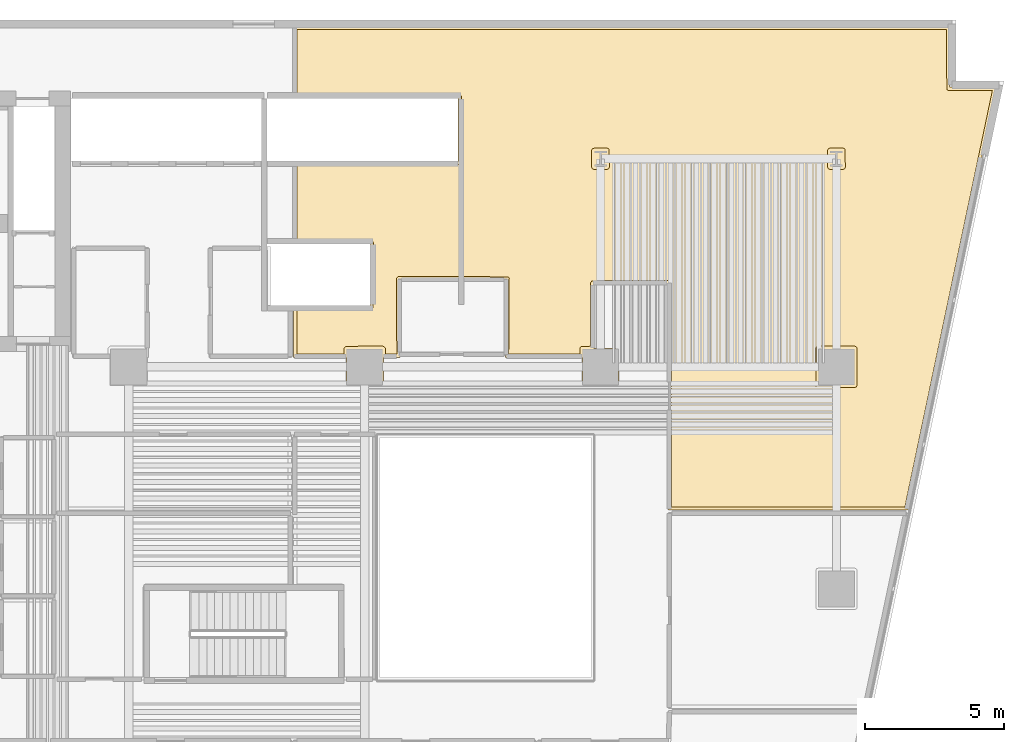
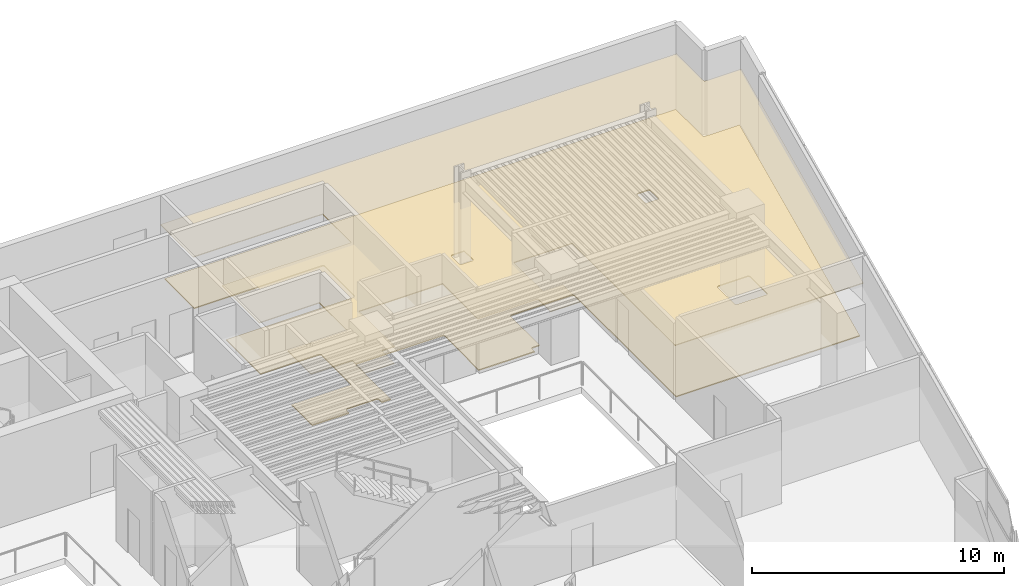
# One storey, part 11 of 11: 2 coverings.
"""IFC4 building model written with IfcOpenShell, lengths in metres."""

from ifc_helpers import new_model, si_unit, direction, frame, origin, place, context, subcontext, project, spatial, polyline, outline, extrude, material, layer, layer_set, type_object, element, save


model = new_model("IFC4")

# Units and contexts
model_context = context("Model", 3, precision=1e-05, world=origin(), true_north=direction((0.0, 1.0)))
body_context = subcontext(model_context, "Body", "Model", "MODEL_VIEW")
ifc_project = project(units=[si_unit("LENGTHUNIT", "METRE"), si_unit("AREAUNIT", "SQUARE_METRE"), si_unit("VOLUMEUNIT", "CUBIC_METRE"), si_unit("PLANEANGLEUNIT", "RADIAN"), si_unit("MASSUNIT", "GRAM", prefix="KILO")], contexts=[model_context])

# Site, building, storey
site_placement = place(None, origin())
site = spatial("IfcSite", under=ifc_project, at=site_placement, CompositionType="ELEMENT")
building_placement = place(site_placement, origin())
building = spatial("IfcBuilding", under=site, at=building_placement, Name="Caeloran Harvest Quay", CompositionType="ELEMENT")
storey_placement = place(building_placement, frame((0.0, 0.0, 62.199951171875)))
storey = spatial("IfcBuildingStorey", under=building, at=storey_placement, Name="L14", CompositionType="ELEMENT", Elevation=62.199951171875)

# Coverings
ifc_material_1 = material(Name="Perforated Mineral-Fibre Acoustic Ceiling Tile", Category="ceiling")
ifc_layer_1 = layer(ifc_material_1, 0.0400390625, Name="Perforated Mineral-Fibre Acoustic Ceiling Tile")
ifc_layer_set_1 = layer_set([ifc_layer_1], Name="Perforated Mineral-Fibre Acoustic Ceiling Tile")
covering_type_1 = type_object("IfcCoveringType", Name="COV-CEILING-ACOUSTIC", PredefinedType="CEILING", material=ifc_layer_set_1)
covering_1_placement = place(storey_placement, frame((0.0, 0.0, 2.60009765625)))
element("IfcCovering", 1, at=covering_1_placement, inside=storey, type_object=covering_type_1, Name="Harvest Seminar Room 12 Acoustic Ceiling", PredefinedType="CEILING", context=body_context, shape_type="SweptSolid", body=[
    extrude(outline(polyline([(33.330078125, 31.340087890625), (31.43994140625, 31.340087890625), (31.43994140625, 33.2099609375), (34.18994140625, 33.2099609375), (34.18994140625, 35.43994140625), (31.43994140625, 35.43994140625), (31.43994140625, 38.409912109375), (37.3701171875, 38.409912109375), (37.3701171875, 40.68994140625), (31.43994140625, 40.68994140625), (31.43994140625, 43.280029296875), (55.080078125, 43.280029296875), (55.080078125, 41.080078125), (56.766845703125, 41.080078125), (53.565185546875, 25.840087890625), (44.93994140625, 25.840087890625), (44.93994140625, 33.989990234375), (42.260009765625, 33.989990234375), (42.260009765625, 31.669921875), (43.169921875, 31.669921875), (43.169921875, 30.330078125), (41.830078125, 30.330078125), (41.830078125, 31.340087890625), (39.069580078125, 31.340087890625), (39.089599609375, 34.139892578125), (35.26025390625, 34.139892578125), (35.2802734375, 31.340087890625), (34.669921875, 31.340087890625), (34.669921875, 30.330078125), (33.330078125, 30.330078125), (33.330078125, 31.340087890625)])), origin(), (0.0, 0.0, 1.0), 0.0400390625),
])
ifc_material_2 = material(Name="Calcium-Sulphate Raised Access Floor and Terrazzo Finish", Category="flooring")
ifc_layer_2 = layer(ifc_material_2, 0.050048828125, Name="Calcium-Sulphate Raised Access Floor and Terrazzo Finish")
ifc_layer_set_2 = layer_set([ifc_layer_2], Name="Calcium-Sulphate Raised Access Floor and Terrazzo Finish")
covering_type_2 = type_object("IfcCoveringType", Name="COV-FLOOR-RAISED", PredefinedType="FLOORING", material=ifc_layer_set_2)
covering_2_placement = place(storey_placement, origin())
element("IfcCovering", 2, at=covering_2_placement, inside=storey, type_object=covering_type_2, Name="Harvest Seminar Room 12 Raised Finish Flooring", PredefinedType="FLOORING", context=body_context, shape_type="SweptSolid", body=[
    extrude(outline(polyline([(34.31005859375, 35.47998046875), (34.28662109375, 35.53662109375), (34.22998046875, 35.56005859375), (31.56005859375, 35.56005859375), (31.56005859375, 38.2900390625), (37.440673828125, 38.296142578125), (37.489990234375, 38.3701171875), (37.48388671875, 40.760498046875), (37.409912109375, 40.81005859375), (31.56005859375, 40.81005859375), (31.56005859375, 43.159912109375), (54.9599609375, 43.159912109375), (54.978271484375, 40.9892578125), (55.0400390625, 40.9599609375), (56.618896484375, 40.9599609375), (53.468017578125, 25.9599609375), (45.06005859375, 25.9599609375), (45.06005859375, 34.030029296875), (45.003173828125, 34.106689453125), (42.189453125, 34.10400390625), (42.139892578125, 34.030029296875), (42.139892578125, 31.7451171875), (41.79052734375, 31.7314453125), (41.75537109375, 31.6728515625), (41.7548828125, 31.4599609375), (39.190673828125, 31.4599609375), (39.2099609375, 34.179443359375), (39.174560546875, 34.246337890625), (35.204345703125, 34.25830078125), (35.139892578125, 34.179443359375), (35.159423828125, 31.4599609375), (34.7451171875, 31.4599609375), (34.74169921875, 31.688232421875), (34.6650390625, 31.7451171875), (33.3193359375, 31.743408203125), (33.256591796875, 31.6806640625), (33.2548828125, 31.4599609375), (31.56005859375, 31.4599609375), (31.56005859375, 33.090087890625), (34.22998046875, 33.090087890625), (34.29638671875, 33.12548828125), (34.31005859375, 35.47998046875)]), holes=[polyline([(51.7451171875, 31.6650390625), (51.7216796875, 31.7216796875), (51.6650390625, 31.7451171875), (50.3349609375, 31.7451171875), (50.2783203125, 31.7216796875), (50.2548828125, 31.6650390625), (50.2548828125, 30.3349609375), (50.2783203125, 30.2783203125), (50.3349609375, 30.2548828125), (51.6650390625, 30.2548828125), (51.7216796875, 30.2783203125), (51.7451171875, 30.3349609375), (51.7451171875, 31.6650390625)]), polyline([(51.322021484375, 38.200439453125), (51.3037109375, 38.850341796875), (51.249755859375, 38.879150390625), (50.758056640625, 38.87939453125), (50.701416015625, 38.856201171875), (50.677978515625, 38.799560546875), (50.677978515625, 38.200439453125), (50.701416015625, 38.143798828125), (50.758056640625, 38.12060546875), (51.241943359375, 38.12060546875), (51.298583984375, 38.143798828125), (51.322021484375, 38.200439453125)]), polyline([(42.822021484375, 38.200439453125), (42.8037109375, 38.850341796875), (42.749755859375, 38.879150390625), (42.258056640625, 38.87939453125), (42.201416015625, 38.856201171875), (42.177978515625, 38.799560546875), (42.177978515625, 38.200439453125), (42.201416015625, 38.143798828125), (42.258056640625, 38.12060546875), (42.741943359375, 38.12060546875), (42.798583984375, 38.143798828125), (42.822021484375, 38.200439453125)])]), origin(), (0.0, 0.0, 1.0), 0.050048828125),
])

save(model, "model.ifc")
